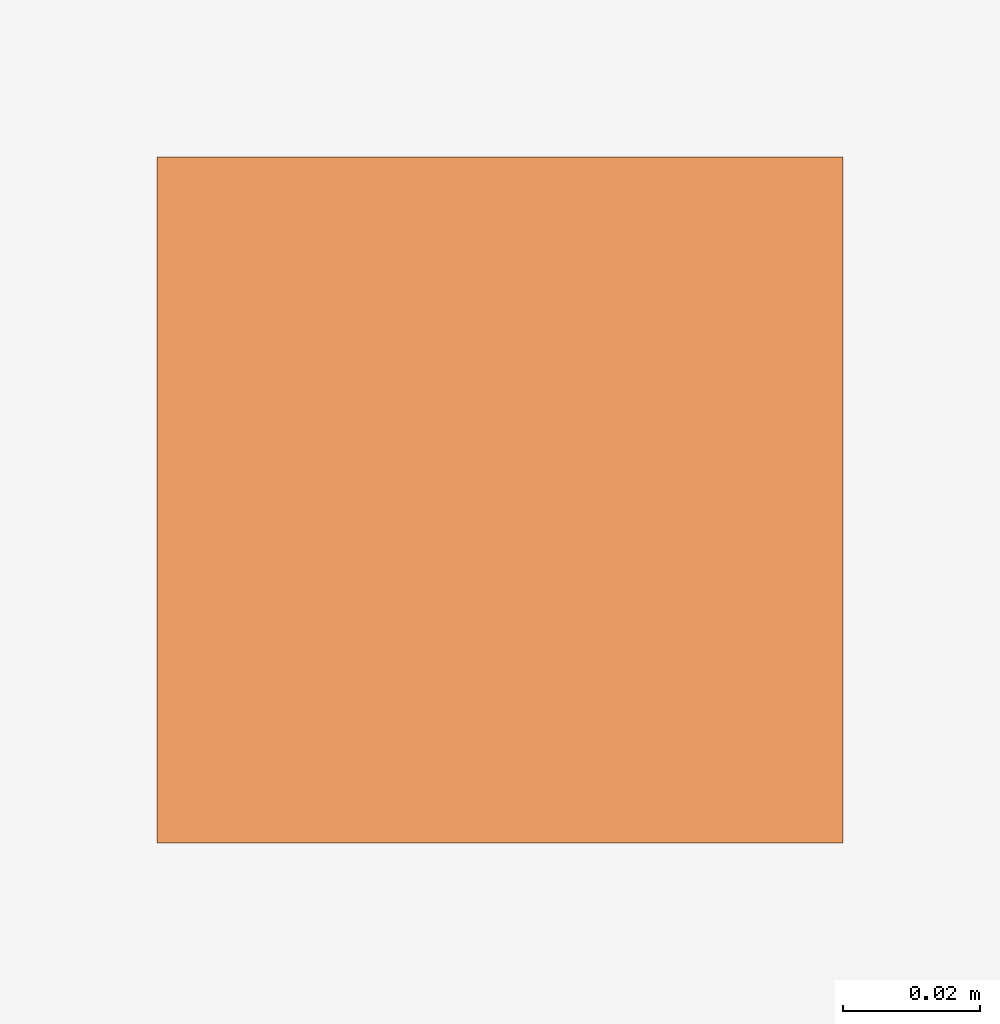
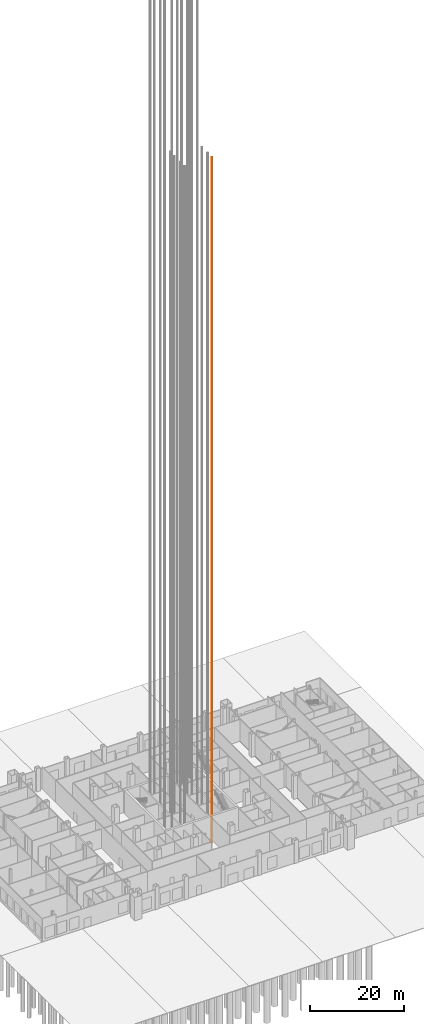
# One storey, part 22 of 36: 1 proxy.
"""IFC4 building model written with IfcOpenShell, lengths in metres."""

from ifc_helpers import new_model, si_unit, direction, frame, origin, origin_2d, place, context, subcontext, project, spatial, rectangle, extrude, material, type_object, element, save


model = new_model("IFC4")

# Units and contexts
model_context = context("Model", 3, precision=1e-05, world=origin(), true_north=direction((0.0, 1.0)))
body_context = subcontext(model_context, "Body", "Model", "MODEL_VIEW")
ifc_project = project(units=[si_unit("LENGTHUNIT", "METRE"), si_unit("AREAUNIT", "SQUARE_METRE"), si_unit("VOLUMEUNIT", "CUBIC_METRE"), si_unit("PLANEANGLEUNIT", "RADIAN"), si_unit("MASSUNIT", "GRAM", prefix="KILO")], contexts=[model_context])

# Site, building, storey
site_placement = place(None, origin())
site = spatial("IfcSite", under=ifc_project, at=site_placement, CompositionType="ELEMENT")
building_placement = place(site_placement, origin())
building = spatial("IfcBuilding", under=site, at=building_placement, Name="Malebo Sky Hospital", CompositionType="ELEMENT")
storey_placement = place(building_placement, origin())
storey = spatial("IfcBuildingStorey", under=building, at=storey_placement, Name="L00", CompositionType="ELEMENT", Elevation=0.0)

# Proxy
ifc_material = material(Name="Steel S355", Category="steel")
building_element_proxy_type = type_object("IfcBuildingElementProxyType", Name="LIFT GUIDE RAIL 100", PredefinedType="USERDEFINED", material=ifc_material)
proxy_placement = place(storey_placement, frame((63.35009765625, 54.675048828125, 0.0)))
element("IfcBuildingElementProxy", 1, at=proxy_placement, inside=storey, type_object=building_element_proxy_type, Name="Lift E1 guide rail 1", ObjectType="LIFT GUIDE RAIL", PredefinedType="USERDEFINED", context=body_context, shape_type="SweptSolid", body=[
    extrude(rectangle(XDim=0.10009765625, YDim=0.10009765625, at=origin_2d()), frame((0.0, 0.0, -2.25)), (0.0, 0.0, 1.0), 177.75),
])

save(model, "model.ifc")
